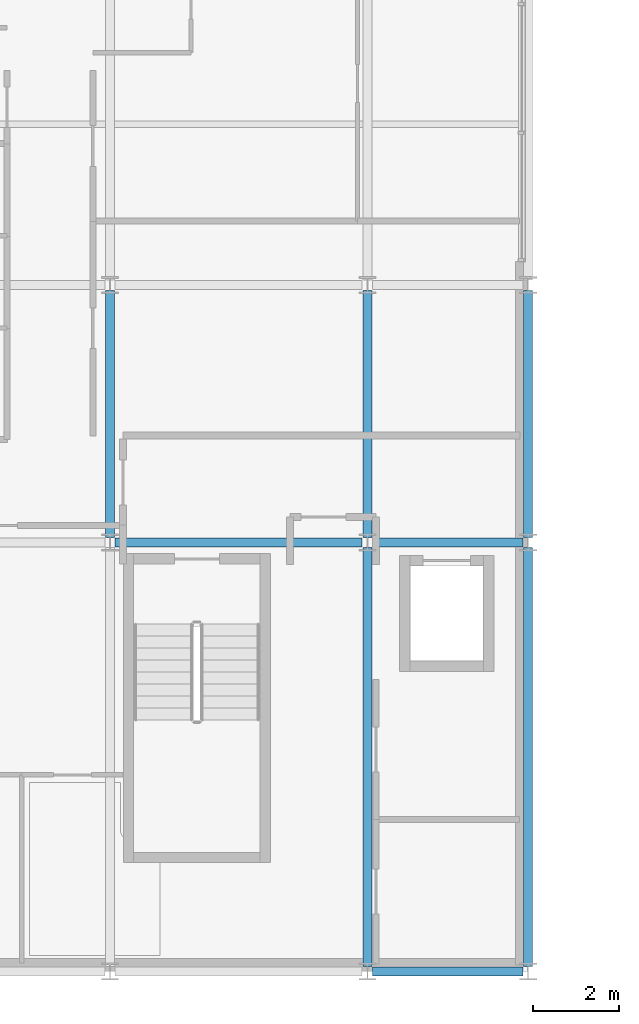
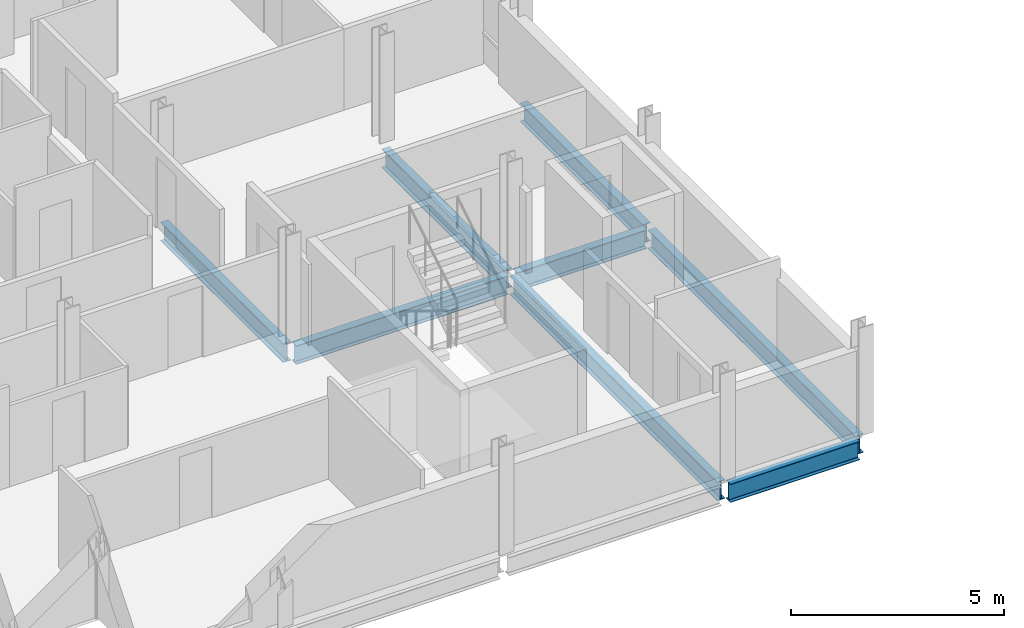
# One storey, part 4 of 29: 8 beams.
"""IFC4 building model written with IfcOpenShell, lengths in metres."""

from ifc_helpers import new_model, si_unit, direction, frame, origin, origin_2d, place, context, subcontext, project, spatial, i_section, extrude, material, material_profile, profile_set, type_object, element, save


model = new_model("IFC4")

# Units and contexts
model_context = context("Model", 3, precision=1e-05, world=origin(), true_north=direction((0.0, 1.0)))
body_context = subcontext(model_context, "Body", "Model", "MODEL_VIEW")
ifc_project = project(units=[si_unit("LENGTHUNIT", "METRE"), si_unit("AREAUNIT", "SQUARE_METRE"), si_unit("VOLUMEUNIT", "CUBIC_METRE"), si_unit("PLANEANGLEUNIT", "RADIAN"), si_unit("MASSUNIT", "GRAM", prefix="KILO")], contexts=[model_context])

# Site, building, storey
site_placement = place(None, origin())
site = spatial("IfcSite", under=ifc_project, at=site_placement, CompositionType="ELEMENT")
building_placement = place(site_placement, origin())
building = spatial("IfcBuilding", under=site, at=building_placement, Name="Brevholm Reach", CompositionType="ELEMENT")
storey_placement = place(building_placement, frame((0.0, 0.0, 198.699951171875)))
storey = spatial("IfcBuildingStorey", under=building, at=storey_placement, Name="L60", CompositionType="ELEMENT", Elevation=198.699951171875)

# Beams
ifc_material_1 = material(Name="Structural Steel S355J2", Category="steel")
ifc_material_profile_1 = material_profile(ifc_material_1, i_section(OverallWidth=0.209228515625, OverallDepth=0.533203125, WebThickness=0.010009765625, FlangeThickness=0.015625, FilletRadius=0.0126953125, at=origin_2d()), Name="UKB 533x210x92")
ifc_profile_set_1 = profile_set([ifc_material_profile_1], Name="Structural Steel S355J2")
beam_type_1 = type_object("IfcBeamType", Name="BM-SP533", PredefinedType="SPANDREL", material=ifc_profile_set_1)
beam_1_placement = place(storey_placement, frame((18.1201171875, 0.0, -0.4765625), z_axis=(1.0, 0.0, 0.0), x_axis=(0.0, 1.0, 0.0)))
element("IfcBeam", 1, at=beam_1_placement, inside=storey, type_object=beam_type_1, Name="L60 SP-02 Framing Beam", PredefinedType="SPANDREL", context=body_context, shape_type="SweptSolid", body=[
    extrude(i_section(OverallWidth=0.209228515625, OverallDepth=0.533203125, WebThickness=0.010009765625, FlangeThickness=0.015625, FilletRadius=0.0126953125, at=origin_2d()), origin(), (0.0, 0.0, 1.0), 3.509765625),
])
beam_2_placement = place(storey_placement, frame((21.75, 0.1201171875, -0.4765625), z_axis=(0.0, 1.0, 0.0), x_axis=(-1.0, 0.0, 0.0)))
element("IfcBeam", 2, at=beam_2_placement, inside=storey, type_object=beam_type_1, Name="L60 SP-02 Framing Beam", PredefinedType="SPANDREL", context=body_context, shape_type="SweptSolid", body=[
    extrude(i_section(OverallWidth=0.209228515625, OverallDepth=0.533203125, WebThickness=0.010009765625, FlangeThickness=0.015625, FilletRadius=0.0126953125, at=origin_2d()), origin(), (0.0, 0.0, 1.0), 9.759765625),
])
beam_3_placement = place(storey_placement, frame((21.75, 10.1201171875, -0.4765625), z_axis=(0.0, 1.0, 0.0), x_axis=(-1.0, 0.0, 0.0)))
element("IfcBeam", 3, at=beam_3_placement, inside=storey, type_object=beam_type_1, Name="L60 SP-02 Framing Beam", PredefinedType="SPANDREL", context=body_context, shape_type="SweptSolid", body=[
    extrude(i_section(OverallWidth=0.209228515625, OverallDepth=0.533203125, WebThickness=0.010009765625, FlangeThickness=0.015625, FilletRadius=0.0126953125, at=origin_2d()), origin(), (0.0, 0.0, 1.0), 5.759765625),
])
ifc_material_2 = material(Name="Structural Steel S355J2", Category="steel")
ifc_material_profile_2 = material_profile(ifc_material_2, i_section(OverallWidth=0.210693359375, OverallDepth=0.53955078125, WebThickness=0.01171875, FlangeThickness=0.018798828125, FilletRadius=0.0126953125, at=origin_2d()), Name="UKB 533x210x109")
ifc_profile_set_2 = profile_set([ifc_material_profile_2], Name="Structural Steel S355J2")
beam_type_2 = type_object("IfcBeamType", Name="BM-SP539", PredefinedType="SPANDREL", material=ifc_profile_set_2)
beam_4_placement = place(storey_placement, frame((12.1201171875, 10.0, -0.479736328125), z_axis=(1.0, 0.0, 0.0), x_axis=(0.0, 1.0, 0.0)))
element("IfcBeam", 4, at=beam_4_placement, inside=storey, type_object=beam_type_2, Name="L60 SP-01B Framing Beam", PredefinedType="SPANDREL", context=body_context, shape_type="SweptSolid", body=[
    extrude(i_section(OverallWidth=0.210693359375, OverallDepth=0.53955078125, WebThickness=0.01171875, FlangeThickness=0.018798828125, FilletRadius=0.0126953125, at=origin_2d()), origin(), (0.0, 0.0, 1.0), 5.759765625),
])
beam_5_placement = place(storey_placement, frame((18.1201171875, 10.0, -0.479736328125), z_axis=(1.0, 0.0, 0.0), x_axis=(0.0, 1.0, 0.0)))
element("IfcBeam", 5, at=beam_5_placement, inside=storey, type_object=beam_type_2, Name="L60 SP-01B Framing Beam", PredefinedType="SPANDREL", context=body_context, shape_type="SweptSolid", body=[
    extrude(i_section(OverallWidth=0.210693359375, OverallDepth=0.53955078125, WebThickness=0.01171875, FlangeThickness=0.018798828125, FilletRadius=0.0126953125, at=origin_2d()), origin(), (0.0, 0.0, 1.0), 3.509765625),
])
beam_6_placement = place(storey_placement, frame((12.0, 10.1201171875, -0.479736328125), z_axis=(0.0, 1.0, 0.0), x_axis=(-1.0, 0.0, 0.0)))
element("IfcBeam", 6, at=beam_6_placement, inside=storey, type_object=beam_type_2, Name="L60 SP-01B Framing Beam", PredefinedType="SPANDREL", context=body_context, shape_type="SweptSolid", body=[
    extrude(i_section(OverallWidth=0.210693359375, OverallDepth=0.53955078125, WebThickness=0.01171875, FlangeThickness=0.018798828125, FilletRadius=0.0126953125, at=origin_2d()), origin(), (0.0, 0.0, 1.0), 5.759765625),
])
beam_7_placement = place(storey_placement, frame((18.0, 0.1201171875, -0.479736328125), z_axis=(0.0, 1.0, 0.0), x_axis=(-1.0, 0.0, 0.0)))
element("IfcBeam", 7, at=beam_7_placement, inside=storey, type_object=beam_type_2, Name="L60 SP-01B Framing Beam", PredefinedType="SPANDREL", context=body_context, shape_type="SweptSolid", body=[
    extrude(i_section(OverallWidth=0.210693359375, OverallDepth=0.53955078125, WebThickness=0.01171875, FlangeThickness=0.018798828125, FilletRadius=0.0126953125, at=origin_2d()), origin(), (0.0, 0.0, 1.0), 9.759765625),
])
beam_8_placement = place(storey_placement, frame((18.0, 10.1201171875, -0.479736328125), z_axis=(0.0, 1.0, 0.0), x_axis=(-1.0, 0.0, 0.0)))
element("IfcBeam", 8, at=beam_8_placement, inside=storey, type_object=beam_type_2, Name="L60 SP-01B Framing Beam", PredefinedType="SPANDREL", context=body_context, shape_type="SweptSolid", body=[
    extrude(i_section(OverallWidth=0.210693359375, OverallDepth=0.53955078125, WebThickness=0.01171875, FlangeThickness=0.018798828125, FilletRadius=0.0126953125, at=origin_2d()), origin(), (0.0, 0.0, 1.0), 5.759765625),
])

save(model, "model.ifc")
